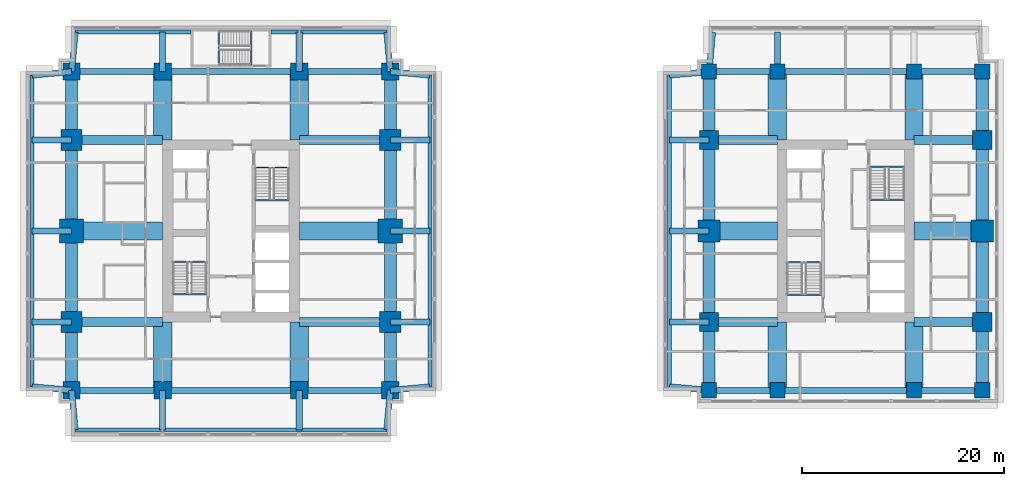
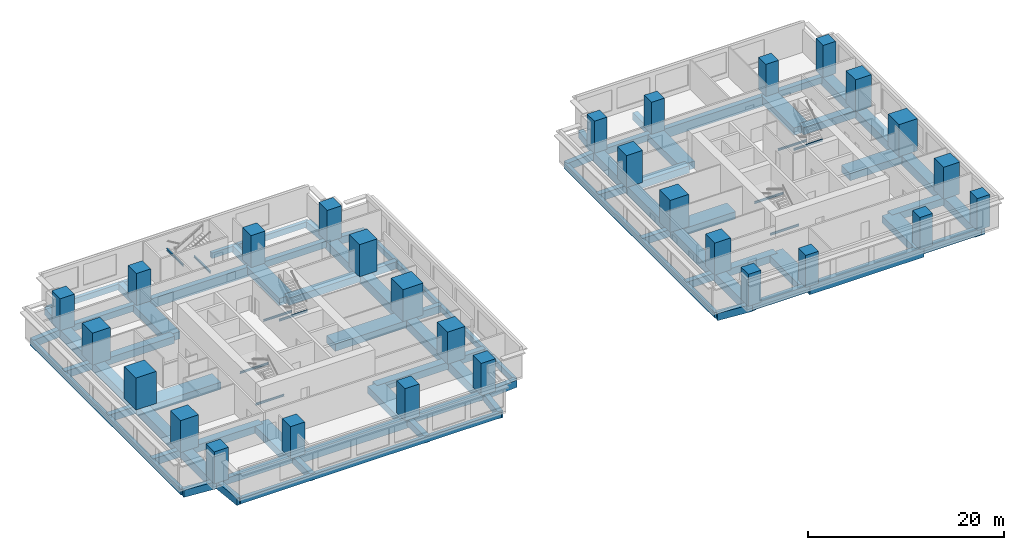
# One storey, part 1 of 10: 89 beams, 28 columns.
"""IFC4 building model written with IfcOpenShell, lengths in metres."""

from ifc_helpers import new_model, si_unit, direction, frame, origin, origin_2d, place, context, subcontext, project, spatial, rectangle, i_section, extrude, material, material_profile, profile_set, type_object, element, save


model = new_model("IFC4")

# Units and contexts
model_context = context("Model", 3, precision=1e-05, world=origin(), true_north=direction((0.0, 1.0)))
body_context = subcontext(model_context, "Body", "Model", "MODEL_VIEW")
ifc_project = project(units=[si_unit("LENGTHUNIT", "METRE"), si_unit("AREAUNIT", "SQUARE_METRE"), si_unit("VOLUMEUNIT", "CUBIC_METRE"), si_unit("PLANEANGLEUNIT", "RADIAN"), si_unit("MASSUNIT", "GRAM", prefix="KILO")], contexts=[model_context])

# Site, building, storey
site_placement = place(None, origin())
site = spatial("IfcSite", under=ifc_project, at=site_placement, CompositionType="ELEMENT")
building_placement = place(site_placement, origin())
building = spatial("IfcBuilding", under=site, at=building_placement, Name="Namib Vertical Campus", CompositionType="ELEMENT")
storey_placement = place(building_placement, frame((0.0, 0.0, 153.0)))
storey = spatial("IfcBuildingStorey", under=building, at=storey_placement, Name="L36", CompositionType="ELEMENT", Elevation=153.0)

# Columns
ifc_material_1 = material(Name="Concrete C60/75", Category="concrete")
ifc_material_profile_1 = material_profile(ifc_material_1, rectangle(XDim=1.5, YDim=1.5, at=origin_2d()))
ifc_profile_set_1 = profile_set([ifc_material_profile_1], Name="Concrete C60/75")
column_type_1 = type_object("IfcColumnType", Name="Column RC 1500x1500", PredefinedType="COLUMN", material=ifc_profile_set_1)
for number, where, z_axis, x_axis, name in (
    (1, (67.5, 4.5, 0.0), (0.0, 0.0, 1.0), (1.0, 0.0, 0.0), "Column C150 L36"),
    (2, (74.25, 4.5, 0.0), (0.0, 0.0, 1.0), (1.0, 0.0, 0.0), "Column C150 L36"),
    (3, (87.75, 4.5, 0.0), (0.0, 0.0, 1.0), (1.0, 0.0, 0.0), "Column C150 L36"),
    (4, (94.5, 4.5, 0.0), (0.0, 0.0, 1.0), (1.0, 0.0, 0.0), "Column C150 L36"),
    (5, (67.5, 36.0, 0.0), (0.0, 0.0, 1.0), (1.0, 0.0, 0.0), "Column C150 L36"),
    (6, (74.25, 36.0, 0.0), (0.0, 0.0, 1.0), (1.0, 0.0, 0.0), "Column C150 L36"),
    (7, (87.75, 36.0, 0.0), (0.0, 0.0, 1.0), (1.0, 0.0, 0.0), "Column C150 L36"),
    (8, (94.5, 36.0, 0.0), (0.0, 0.0, 1.0), (1.0, 0.0, 0.0), "Column C150 L36"),
):
    element("IfcColumn", number, at=place(storey_placement, frame(where, z_axis=z_axis, x_axis=x_axis)), inside=storey, type_object=column_type_1, Name=name, PredefinedType="COLUMN", context=body_context, shape_type="SweptSolid", body=[
        extrude(rectangle(XDim=1.5, YDim=1.5, at=origin_2d()), origin(), (0.0, 0.0, 1.0), 4.0),
    ])
ifc_material_2 = material(Name="Concrete C60/75", Category="concrete")
ifc_material_profile_2 = material_profile(ifc_material_2, rectangle(XDim=1.699951171875, YDim=1.699951171875, at=origin_2d()))
ifc_profile_set_2 = profile_set([ifc_material_profile_2], Name="Concrete C60/75")
column_type_2 = type_object("IfcColumnType", Name="Column RC 1700x1700", PredefinedType="COLUMN", material=ifc_profile_set_2)
for number, where, z_axis, x_axis, name in (
    (9, (4.5, 4.5, 0.0), (0.0, 0.0, 1.0), (1.0, 0.0, 0.0), "Column C170 L36"),
    (10, (13.5, 4.5, 0.0), (0.0, 0.0, 1.0), (1.0, 0.0, 0.0), "Column C170 L36"),
    (11, (27.0, 4.5, 0.0), (0.0, 0.0, 1.0), (1.0, 0.0, 0.0), "Column C170 L36"),
    (12, (36.0, 4.5, 0.0), (0.0, 0.0, 1.0), (1.0, 0.0, 0.0), "Column C170 L36"),
    (13, (4.5, 36.0, 0.0), (0.0, 0.0, 1.0), (1.0, 0.0, 0.0), "Column C170 L36"),
    (14, (13.5, 36.0, 0.0), (0.0, 0.0, 1.0), (1.0, 0.0, 0.0), "Column C170 L36"),
    (15, (27.0, 36.0, 0.0), (0.0, 0.0, 1.0), (1.0, 0.0, 0.0), "Column C170 L36"),
    (16, (36.0, 36.0, 0.0), (0.0, 0.0, 1.0), (1.0, 0.0, 0.0), "Column C170 L36"),
):
    element("IfcColumn", number, at=place(storey_placement, frame(where, z_axis=z_axis, x_axis=x_axis)), inside=storey, type_object=column_type_2, Name=name, PredefinedType="COLUMN", context=body_context, shape_type="SweptSolid", body=[
        extrude(rectangle(XDim=1.699951171875, YDim=1.699951171875, at=origin_2d()), origin(), (0.0, 0.0, 1.0), 4.0),
    ])
ifc_material_3 = material(Name="Concrete C60/75", Category="concrete")
ifc_material_profile_3 = material_profile(ifc_material_3, rectangle(XDim=1.89990234375, YDim=1.89990234375, at=origin_2d()))
ifc_profile_set_3 = profile_set([ifc_material_profile_3], Name="Concrete C60/75")
column_type_3 = type_object("IfcColumnType", Name="Column RC 1900x1900", PredefinedType="COLUMN", material=ifc_profile_set_3)
for number, where, z_axis, x_axis, name in (
    (17, (67.5, 11.25, 0.0), (0.0, 0.0, 1.0), (1.0, 0.0, 0.0), "Column C190 L36"),
    (18, (94.5, 11.25, 0.0), (0.0, 0.0, 1.0), (1.0, 0.0, 0.0), "Column C190 L36"),
    (19, (67.5, 29.25, 0.0), (0.0, 0.0, 1.0), (1.0, 0.0, 0.0), "Column C190 L36"),
    (20, (94.5, 29.25, 0.0), (0.0, 0.0, 1.0), (1.0, 0.0, 0.0), "Column C190 L36"),
):
    element("IfcColumn", number, at=place(storey_placement, frame(where, z_axis=z_axis, x_axis=x_axis)), inside=storey, type_object=column_type_3, Name=name, PredefinedType="COLUMN", context=body_context, shape_type="SweptSolid", body=[
        extrude(rectangle(XDim=1.89990234375, YDim=1.89990234375, at=origin_2d()), origin(), (0.0, 0.0, 1.0), 4.0),
    ])
ifc_material_4 = material(Name="Concrete C60/75", Category="concrete")
ifc_material_profile_4 = material_profile(ifc_material_4, rectangle(XDim=2.10009765625, YDim=2.10009765625, at=origin_2d()))
ifc_profile_set_4 = profile_set([ifc_material_profile_4], Name="Concrete C60/75")
column_type_4 = type_object("IfcColumnType", Name="Column RC 2100x2100", PredefinedType="COLUMN", material=ifc_profile_set_4)
for number, where, z_axis, x_axis, name in (
    (21, (4.5, 11.25, 0.0), (0.0, 0.0, 1.0), (1.0, 0.0, 0.0), "Column C210 L36"),
    (22, (36.0, 11.25, 0.0), (0.0, 0.0, 1.0), (1.0, 0.0, 0.0), "Column C210 L36"),
    (23, (4.5, 29.25, 0.0), (0.0, 0.0, 1.0), (1.0, 0.0, 0.0), "Column C210 L36"),
    (24, (36.0, 29.25, 0.0), (0.0, 0.0, 1.0), (1.0, 0.0, 0.0), "Column C210 L36"),
):
    element("IfcColumn", number, at=place(storey_placement, frame(where, z_axis=z_axis, x_axis=x_axis)), inside=storey, type_object=column_type_4, Name=name, PredefinedType="COLUMN", context=body_context, shape_type="SweptSolid", body=[
        extrude(rectangle(XDim=2.10009765625, YDim=2.10009765625, at=origin_2d()), origin(), (0.0, 0.0, 1.0), 4.0),
    ])
ifc_material_5 = material(Name="Concrete C60/75", Category="concrete")
ifc_material_profile_5 = material_profile(ifc_material_5, rectangle(XDim=2.199951171875, YDim=2.199951171875, at=origin_2d()))
ifc_profile_set_5 = profile_set([ifc_material_profile_5], Name="Concrete C60/75")
column_type_5 = type_object("IfcColumnType", Name="Column RC 2200x2200", PredefinedType="COLUMN", material=ifc_profile_set_5)
for number, where, z_axis, x_axis, name in (
    (25, (67.5, 20.25, 0.0), (0.0, 0.0, 1.0), (1.0, 0.0, 0.0), "Column C220 L36"),
    (26, (94.5, 20.25, 0.0), (0.0, 0.0, 1.0), (1.0, 0.0, 0.0), "Column C220 L36"),
):
    element("IfcColumn", number, at=place(storey_placement, frame(where, z_axis=z_axis, x_axis=x_axis)), inside=storey, type_object=column_type_5, Name=name, PredefinedType="COLUMN", context=body_context, shape_type="SweptSolid", body=[
        extrude(rectangle(XDim=2.199951171875, YDim=2.199951171875, at=origin_2d()), origin(), (0.0, 0.0, 1.0), 4.0),
    ])
ifc_material_6 = material(Name="Concrete C60/75", Category="concrete")
ifc_material_profile_6 = material_profile(ifc_material_6, rectangle(XDim=2.39990234375, YDim=2.39990234375, at=origin_2d()))
ifc_profile_set_6 = profile_set([ifc_material_profile_6], Name="Concrete C60/75")
column_type_6 = type_object("IfcColumnType", Name="Column RC 2400x2400", PredefinedType="COLUMN", material=ifc_profile_set_6)
for number, where, z_axis, x_axis, name in (
    (27, (4.5, 20.25, 0.0), (0.0, 0.0, 1.0), (1.0, 0.0, 0.0), "Column C240 L36"),
    (28, (36.0, 20.25, 0.0), (0.0, 0.0, 1.0), (1.0, 0.0, 0.0), "Column C240 L36"),
):
    element("IfcColumn", number, at=place(storey_placement, frame(where, z_axis=z_axis, x_axis=x_axis)), inside=storey, type_object=column_type_6, Name=name, PredefinedType="COLUMN", context=body_context, shape_type="SweptSolid", body=[
        extrude(rectangle(XDim=2.39990234375, YDim=2.39990234375, at=origin_2d()), origin(), (0.0, 0.0, 1.0), 4.0),
    ])

# Beams
ifc_material_7 = material(Name="Concrete C40/50", Category="concrete")
ifc_material_profile_7 = material_profile(ifc_material_7, rectangle(XDim=0.60009765625, YDim=0.89990234375, at=origin_2d()))
ifc_profile_set_7 = profile_set([ifc_material_profile_7], Name="Concrete C40/50")
beam_type_1 = type_object("IfcBeamType", Name="Cantilever girder RC 600x900", PredefinedType="BEAM", material=ifc_profile_set_7)
beam_1_placement = place(storey_placement, frame((4.5, 4.5, -0.699951171875), z_axis=(0.089411326146, -0.995994786511, 0.0), x_axis=(0.995994786511, 0.089411326146, 0.0)))
element("IfcBeam", 29, at=beam_1_placement, inside=storey, type_object=beam_type_1, Name="Beam B3 L36", PredefinedType="BEAM", context=body_context, shape_type="SweptSolid", body=[
    extrude(rectangle(XDim=0.60009765625, YDim=0.89990234375, at=origin_2d()), origin(), (0.0, 0.0, 1.0), 3.91552734375),
])
for number, where, z_axis, x_axis, name in (
    (30, (13.5, 4.5, -0.699951171875), (0.0, -1.0, 0.0), (1.0, 0.0, 0.0), "Beam B3 L36"),
    (31, (27.0, 4.5, -0.699951171875), (0.0, -1.0, 0.0), (1.0, 0.0, 0.0), "Beam B3 L36"),
):
    element("IfcBeam", number, at=place(storey_placement, frame(where, z_axis=z_axis, x_axis=x_axis)), inside=storey, type_object=beam_type_1, Name=name, PredefinedType="BEAM", context=body_context, shape_type="SweptSolid", body=[
        extrude(rectangle(XDim=0.60009765625, YDim=0.89990234375, at=origin_2d()), origin(), (0.0, 0.0, 1.0), 3.89990234375),
    ])
for number, where, z_axis, x_axis, name in (
    (32, (36.0, 4.5, -0.699951171875), (-0.089411326146, -0.995994786511, 0.0), (0.995994786511, -0.089411326146, 0.0), "Beam B3 L36"),
    (33, (4.5, 36.0, -0.699951171875), (0.089411326146, 0.995994786511, 0.0), (-0.995994786511, 0.089411326146, 0.0), "Beam B3 L36"),
):
    element("IfcBeam", number, at=place(storey_placement, frame(where, z_axis=z_axis, x_axis=x_axis)), inside=storey, type_object=beam_type_1, Name=name, PredefinedType="BEAM", context=body_context, shape_type="SweptSolid", body=[
        extrude(rectangle(XDim=0.60009765625, YDim=0.89990234375, at=origin_2d()), origin(), (0.0, 0.0, 1.0), 3.91552734375),
    ])
for number, where, z_axis, x_axis, name in (
    (34, (13.5, 36.0, -0.699951171875), (0.0, 1.0, 0.0), (-1.0, 0.0, 0.0), "Beam B3 L36"),
    (35, (27.0, 36.0, -0.699951171875), (0.0, 1.0, 0.0), (-1.0, 0.0, 0.0), "Beam B3 L36"),
):
    element("IfcBeam", number, at=place(storey_placement, frame(where, z_axis=z_axis, x_axis=x_axis)), inside=storey, type_object=beam_type_1, Name=name, PredefinedType="BEAM", context=body_context, shape_type="SweptSolid", body=[
        extrude(rectangle(XDim=0.60009765625, YDim=0.89990234375, at=origin_2d()), origin(), (0.0, 0.0, 1.0), 3.89990234375),
    ])
for number, where, z_axis, x_axis, name in (
    (36, (36.0, 36.0, -0.699951171875), (-0.089411326146, 0.995994786511, 0.0), (-0.995994786511, -0.089411326146, 0.0), "Beam B3 L36"),
    (37, (4.5, 4.5, -0.699951171875), (-0.995994786511, 0.089411326146, 0.0), (-0.089411326146, -0.995994786511, 0.0), "Beam B3 L36"),
):
    element("IfcBeam", number, at=place(storey_placement, frame(where, z_axis=z_axis, x_axis=x_axis)), inside=storey, type_object=beam_type_1, Name=name, PredefinedType="BEAM", context=body_context, shape_type="SweptSolid", body=[
        extrude(rectangle(XDim=0.60009765625, YDim=0.89990234375, at=origin_2d()), origin(), (0.0, 0.0, 1.0), 3.91552734375),
    ])
for number, where, z_axis, x_axis, name in (
    (38, (4.5, 11.25, -0.699951171875), (-1.0, 0.0, 0.0), (0.0, -1.0, 0.0), "Beam B3 L36"),
    (39, (4.5, 20.25, -0.699951171875), (-1.0, 0.0, 0.0), (0.0, -1.0, 0.0), "Beam B3 L36"),
    (40, (4.5, 29.25, -0.699951171875), (-1.0, 0.0, 0.0), (0.0, -1.0, 0.0), "Beam B3 L36"),
):
    element("IfcBeam", number, at=place(storey_placement, frame(where, z_axis=z_axis, x_axis=x_axis)), inside=storey, type_object=beam_type_1, Name=name, PredefinedType="BEAM", context=body_context, shape_type="SweptSolid", body=[
        extrude(rectangle(XDim=0.60009765625, YDim=0.89990234375, at=origin_2d()), origin(), (0.0, 0.0, 1.0), 3.89990234375),
    ])
for number, where, z_axis, x_axis, name in (
    (41, (4.5, 36.0, -0.699951171875), (-0.995994786511, -0.089411326146, 0.0), (0.089411326146, -0.995994786511, 0.0), "Beam B3 L36"),
    (42, (36.0, 4.5, -0.699951171875), (0.995994786511, 0.089411326146, 0.0), (-0.089411326146, 0.995994786511, 0.0), "Beam B3 L36"),
):
    element("IfcBeam", number, at=place(storey_placement, frame(where, z_axis=z_axis, x_axis=x_axis)), inside=storey, type_object=beam_type_1, Name=name, PredefinedType="BEAM", context=body_context, shape_type="SweptSolid", body=[
        extrude(rectangle(XDim=0.60009765625, YDim=0.89990234375, at=origin_2d()), origin(), (0.0, 0.0, 1.0), 3.91552734375),
    ])
for number, where, z_axis, x_axis, name in (
    (43, (36.0, 11.25, -0.699951171875), (1.0, 0.0, 0.0), (0.0, 1.0, 0.0), "Beam B3 L36"),
    (44, (36.0, 20.25, -0.699951171875), (1.0, 0.0, 0.0), (0.0, 1.0, 0.0), "Beam B3 L36"),
    (45, (36.0, 29.25, -0.699951171875), (1.0, 0.0, 0.0), (0.0, 1.0, 0.0), "Beam B3 L36"),
):
    element("IfcBeam", number, at=place(storey_placement, frame(where, z_axis=z_axis, x_axis=x_axis)), inside=storey, type_object=beam_type_1, Name=name, PredefinedType="BEAM", context=body_context, shape_type="SweptSolid", body=[
        extrude(rectangle(XDim=0.60009765625, YDim=0.89990234375, at=origin_2d()), origin(), (0.0, 0.0, 1.0), 3.89990234375),
    ])
for number, where, z_axis, x_axis, name in (
    (46, (36.0, 36.0, -0.699951171875), (0.995994786511, -0.089411326146, 0.0), (0.089411326146, 0.995994786511, 0.0), "Beam B3 L36"),
    (47, (67.5, 36.0, -0.699951171875), (0.089411326146, 0.995994786511, 0.0), (-0.995994786511, 0.089411326146, 0.0), "Beam B3 L36"),
):
    element("IfcBeam", number, at=place(storey_placement, frame(where, z_axis=z_axis, x_axis=x_axis)), inside=storey, type_object=beam_type_1, Name=name, PredefinedType="BEAM", context=body_context, shape_type="SweptSolid", body=[
        extrude(rectangle(XDim=0.60009765625, YDim=0.89990234375, at=origin_2d()), origin(), (0.0, 0.0, 1.0), 3.91552734375),
    ])
beam_2_placement = place(storey_placement, frame((74.25, 36.0, -0.699951171875), z_axis=(0.0, 1.0, 0.0), x_axis=(-1.0, 0.0, 0.0)))
element("IfcBeam", 48, at=beam_2_placement, inside=storey, type_object=beam_type_1, Name="Beam B3 L36", PredefinedType="BEAM", context=body_context, shape_type="SweptSolid", body=[
    extrude(rectangle(XDim=0.60009765625, YDim=0.89990234375, at=origin_2d()), origin(), (0.0, 0.0, 1.0), 3.89990234375),
])
beam_3_placement = place(storey_placement, frame((67.5, 4.5, -0.699951171875), z_axis=(-0.995994786511, 0.089411326146, 0.0), x_axis=(-0.089411326146, -0.995994786511, 0.0)))
element("IfcBeam", 49, at=beam_3_placement, inside=storey, type_object=beam_type_1, Name="Beam B3 L36", PredefinedType="BEAM", context=body_context, shape_type="SweptSolid", body=[
    extrude(rectangle(XDim=0.60009765625, YDim=0.89990234375, at=origin_2d()), origin(), (0.0, 0.0, 1.0), 3.91552734375),
])
for number, where, z_axis, x_axis, name in (
    (50, (67.5, 11.25, -0.699951171875), (-1.0, 0.0, 0.0), (0.0, -1.0, 0.0), "Beam B3 L36"),
    (51, (67.5, 20.25, -0.699951171875), (-1.0, 0.0, 0.0), (0.0, -1.0, 0.0), "Beam B3 L36"),
    (52, (67.5, 29.25, -0.699951171875), (-1.0, 0.0, 0.0), (0.0, -1.0, 0.0), "Beam B3 L36"),
):
    element("IfcBeam", number, at=place(storey_placement, frame(where, z_axis=z_axis, x_axis=x_axis)), inside=storey, type_object=beam_type_1, Name=name, PredefinedType="BEAM", context=body_context, shape_type="SweptSolid", body=[
        extrude(rectangle(XDim=0.60009765625, YDim=0.89990234375, at=origin_2d()), origin(), (0.0, 0.0, 1.0), 3.89990234375),
    ])
beam_4_placement = place(storey_placement, frame((67.5, 36.0, -0.699951171875), z_axis=(-0.995994786511, -0.089411326146, 0.0), x_axis=(0.089411326146, -0.995994786511, 0.0)))
element("IfcBeam", 53, at=beam_4_placement, inside=storey, type_object=beam_type_1, Name="Beam B3 L36", PredefinedType="BEAM", context=body_context, shape_type="SweptSolid", body=[
    extrude(rectangle(XDim=0.60009765625, YDim=0.89990234375, at=origin_2d()), origin(), (0.0, 0.0, 1.0), 3.91552734375),
])
ifc_material_8 = material(Name="Concrete C40/50", Category="concrete")
ifc_material_profile_8 = material_profile(ifc_material_8, rectangle(XDim=0.39990234375, YDim=0.699951171875, at=origin_2d()))
ifc_profile_set_8 = profile_set([ifc_material_profile_8], Name="Concrete C40/50")
beam_type_2 = type_object("IfcBeamType", Name="Edge beam RC 400x700", PredefinedType="SPANDREL", material=ifc_profile_set_8)
beam_5_placement = place(storey_placement, frame((4.85009765625, 0.60009765625, -0.60009765625), z_axis=(1.0, 0.0, 0.0), x_axis=(0.0, 1.0, 0.0)))
element("IfcBeam", 54, at=beam_5_placement, inside=storey, type_object=beam_type_2, Name="Beam B4 L36", PredefinedType="SPANDREL", context=body_context, shape_type="SweptSolid", body=[
    extrude(rectangle(XDim=0.39990234375, YDim=0.699951171875, at=origin_2d()), origin(), (0.0, 0.0, 1.0), 30.7998046875),
])
for number, where, z_axis, x_axis, name in (
    (55, (4.85009765625, 39.89990234375, -0.60009765625), (1.0, 0.0, 0.0), (0.0, 1.0, 0.0), "Beam B4 L36"),
    (56, (24.199951171875, 39.89990234375, -0.60009765625), (1.0, 0.0, 0.0), (0.0, 1.0, 0.0), "Beam B4 L36"),
):
    element("IfcBeam", number, at=place(storey_placement, frame(where, z_axis=z_axis, x_axis=x_axis)), inside=storey, type_object=beam_type_2, Name=name, PredefinedType="SPANDREL", context=body_context, shape_type="SweptSolid", body=[
        extrude(rectangle(XDim=0.39990234375, YDim=0.699951171875, at=origin_2d()), origin(), (0.0, 0.0, 1.0), 11.449951171875),
    ])
for number, where, z_axis, x_axis, name in (
    (57, (0.60009765625, 4.85009765625, -0.60009765625), (0.0, 1.0, 0.0), (-1.0, 0.0, 0.0), "Beam B4 L36"),
    (58, (39.89990234375, 4.85009765625, -0.60009765625), (0.0, 1.0, 0.0), (-1.0, 0.0, 0.0), "Beam B4 L36"),
    (59, (63.60009765625, 4.85009765625, -0.60009765625), (0.0, 1.0, 0.0), (-1.0, 0.0, 0.0), "Beam B4 L36"),
):
    element("IfcBeam", number, at=place(storey_placement, frame(where, z_axis=z_axis, x_axis=x_axis)), inside=storey, type_object=beam_type_2, Name=name, PredefinedType="SPANDREL", context=body_context, shape_type="SweptSolid", body=[
        extrude(rectangle(XDim=0.39990234375, YDim=0.699951171875, at=origin_2d()), origin(), (0.0, 0.0, 1.0), 30.7998046875),
    ])
ifc_material_9 = material(Name="Concrete C40/50", Category="concrete")
ifc_material_profile_9 = material_profile(ifc_material_9, rectangle(XDim=0.89990234375, YDim=0.89990234375, at=origin_2d()))
ifc_profile_set_9 = profile_set([ifc_material_profile_9], Name="Concrete C40/50")
beam_type_3 = type_object("IfcBeamType", Name="Face girder RC 900x900", PredefinedType="BEAM", material=ifc_profile_set_9)
for number, where, z_axis, x_axis, name in (
    (60, (4.5, 11.25, -0.699951171875), (1.0, 0.0, 0.0), (0.0, 1.0, 0.0), "Beam B10 L36"),
    (61, (36.0, 11.25, -0.699951171875), (-1.0, 0.0, 0.0), (0.0, -1.0, 0.0), "Beam B10 L36"),
    (62, (4.5, 29.25, -0.699951171875), (1.0, 0.0, 0.0), (0.0, 1.0, 0.0), "Beam B10 L36"),
    (63, (36.0, 29.25, -0.699951171875), (-1.0, 0.0, 0.0), (0.0, -1.0, 0.0), "Beam B10 L36"),
):
    element("IfcBeam", number, at=place(storey_placement, frame(where, z_axis=z_axis, x_axis=x_axis)), inside=storey, type_object=beam_type_3, Name=name, PredefinedType="BEAM", context=body_context, shape_type="SweptSolid", body=[
        extrude(rectangle(XDim=0.89990234375, YDim=0.89990234375, at=origin_2d()), origin(), (0.0, 0.0, 1.0), 9.0),
    ])
for number, where, z_axis, x_axis, name in (
    (64, (67.5, 11.25, -0.699951171875), (1.0, 0.0, 0.0), (0.0, 1.0, 0.0), "Beam B10 L36"),
    (65, (94.5, 11.25, -0.699951171875), (-1.0, 0.0, 0.0), (0.0, -1.0, 0.0), "Beam B10 L36"),
    (66, (67.5, 29.25, -0.699951171875), (1.0, 0.0, 0.0), (0.0, 1.0, 0.0), "Beam B10 L36"),
    (67, (94.5, 29.25, -0.699951171875), (-1.0, 0.0, 0.0), (0.0, -1.0, 0.0), "Beam B10 L36"),
):
    element("IfcBeam", number, at=place(storey_placement, frame(where, z_axis=z_axis, x_axis=x_axis)), inside=storey, type_object=beam_type_3, Name=name, PredefinedType="BEAM", context=body_context, shape_type="SweptSolid", body=[
        extrude(rectangle(XDim=0.89990234375, YDim=0.89990234375, at=origin_2d()), origin(), (0.0, 0.0, 1.0), 6.75),
    ])
ifc_material_10 = material(Name="Concrete C40/50", Category="concrete")
ifc_material_profile_10 = material_profile(ifc_material_10, rectangle(XDim=1.199951171875, YDim=1.10009765625, at=origin_2d()))
ifc_profile_set_10 = profile_set([ifc_material_profile_10], Name="Concrete C40/50")
beam_type_4 = type_object("IfcBeamType", Name="Face ring beam RC 1200x1100", PredefinedType="BEAM", material=ifc_profile_set_10)
beam_6_placement = place(storey_placement, frame((4.5, 4.5, -0.800048828125), z_axis=(0.0, 1.0, 0.0), x_axis=(-1.0, 0.0, 0.0)))
element("IfcBeam", 68, at=beam_6_placement, inside=storey, type_object=beam_type_4, Name="Beam B11 L36", PredefinedType="BEAM", context=body_context, shape_type="SweptSolid", body=[
    extrude(rectangle(XDim=1.199951171875, YDim=1.10009765625, at=origin_2d()), origin(), (0.0, 0.0, 1.0), 6.75),
])
for number, where, z_axis, x_axis, name in (
    (69, (4.5, 11.25, -0.800048828125), (0.0, 1.0, 0.0), (-1.0, 0.0, 0.0), "Beam B11 L36"),
    (70, (4.5, 20.25, -0.800048828125), (0.0, 1.0, 0.0), (-1.0, 0.0, 0.0), "Beam B11 L36"),
):
    element("IfcBeam", number, at=place(storey_placement, frame(where, z_axis=z_axis, x_axis=x_axis)), inside=storey, type_object=beam_type_4, Name=name, PredefinedType="BEAM", context=body_context, shape_type="SweptSolid", body=[
        extrude(rectangle(XDim=1.199951171875, YDim=1.10009765625, at=origin_2d()), origin(), (0.0, 0.0, 1.0), 9.0),
    ])
for number, where, z_axis, x_axis, name in (
    (71, (4.5, 29.25, -0.800048828125), (0.0, 1.0, 0.0), (-1.0, 0.0, 0.0), "Beam B11 L36"),
    (72, (36.0, 4.5, -0.800048828125), (0.0, 1.0, 0.0), (-1.0, 0.0, 0.0), "Beam B11 L36"),
):
    element("IfcBeam", number, at=place(storey_placement, frame(where, z_axis=z_axis, x_axis=x_axis)), inside=storey, type_object=beam_type_4, Name=name, PredefinedType="BEAM", context=body_context, shape_type="SweptSolid", body=[
        extrude(rectangle(XDim=1.199951171875, YDim=1.10009765625, at=origin_2d()), origin(), (0.0, 0.0, 1.0), 6.75),
    ])
for number, where, z_axis, x_axis, name in (
    (73, (36.0, 11.25, -0.800048828125), (0.0, 1.0, 0.0), (-1.0, 0.0, 0.0), "Beam B11 L36"),
    (74, (36.0, 20.25, -0.800048828125), (0.0, 1.0, 0.0), (-1.0, 0.0, 0.0), "Beam B11 L36"),
):
    element("IfcBeam", number, at=place(storey_placement, frame(where, z_axis=z_axis, x_axis=x_axis)), inside=storey, type_object=beam_type_4, Name=name, PredefinedType="BEAM", context=body_context, shape_type="SweptSolid", body=[
        extrude(rectangle(XDim=1.199951171875, YDim=1.10009765625, at=origin_2d()), origin(), (0.0, 0.0, 1.0), 9.0),
    ])
for number, where, z_axis, x_axis, name in (
    (75, (36.0, 29.25, -0.800048828125), (0.0, 1.0, 0.0), (-1.0, 0.0, 0.0), "Beam B11 L36"),
    (76, (67.5, 4.5, -0.800048828125), (0.0, 1.0, 0.0), (-1.0, 0.0, 0.0), "Beam B11 L36"),
):
    element("IfcBeam", number, at=place(storey_placement, frame(where, z_axis=z_axis, x_axis=x_axis)), inside=storey, type_object=beam_type_4, Name=name, PredefinedType="BEAM", context=body_context, shape_type="SweptSolid", body=[
        extrude(rectangle(XDim=1.199951171875, YDim=1.10009765625, at=origin_2d()), origin(), (0.0, 0.0, 1.0), 6.75),
    ])
for number, where, z_axis, x_axis, name in (
    (77, (67.5, 11.25, -0.800048828125), (0.0, 1.0, 0.0), (-1.0, 0.0, 0.0), "Beam B11 L36"),
    (78, (67.5, 20.25, -0.800048828125), (0.0, 1.0, 0.0), (-1.0, 0.0, 0.0), "Beam B11 L36"),
):
    element("IfcBeam", number, at=place(storey_placement, frame(where, z_axis=z_axis, x_axis=x_axis)), inside=storey, type_object=beam_type_4, Name=name, PredefinedType="BEAM", context=body_context, shape_type="SweptSolid", body=[
        extrude(rectangle(XDim=1.199951171875, YDim=1.10009765625, at=origin_2d()), origin(), (0.0, 0.0, 1.0), 9.0),
    ])
for number, where, z_axis, x_axis, name in (
    (79, (67.5, 29.25, -0.800048828125), (0.0, 1.0, 0.0), (-1.0, 0.0, 0.0), "Beam B11 L36"),
    (80, (94.5, 4.5, -0.800048828125), (0.0, 1.0, 0.0), (-1.0, 0.0, 0.0), "Beam B11 L36"),
):
    element("IfcBeam", number, at=place(storey_placement, frame(where, z_axis=z_axis, x_axis=x_axis)), inside=storey, type_object=beam_type_4, Name=name, PredefinedType="BEAM", context=body_context, shape_type="SweptSolid", body=[
        extrude(rectangle(XDim=1.199951171875, YDim=1.10009765625, at=origin_2d()), origin(), (0.0, 0.0, 1.0), 6.75),
    ])
for number, where, z_axis, x_axis, name in (
    (81, (94.5, 11.25, -0.800048828125), (0.0, 1.0, 0.0), (-1.0, 0.0, 0.0), "Beam B11 L36"),
    (82, (94.5, 20.25, -0.800048828125), (0.0, 1.0, 0.0), (-1.0, 0.0, 0.0), "Beam B11 L36"),
):
    element("IfcBeam", number, at=place(storey_placement, frame(where, z_axis=z_axis, x_axis=x_axis)), inside=storey, type_object=beam_type_4, Name=name, PredefinedType="BEAM", context=body_context, shape_type="SweptSolid", body=[
        extrude(rectangle(XDim=1.199951171875, YDim=1.10009765625, at=origin_2d()), origin(), (0.0, 0.0, 1.0), 9.0),
    ])
beam_7_placement = place(storey_placement, frame((94.5, 29.25, -0.800048828125), z_axis=(0.0, 1.0, 0.0), x_axis=(-1.0, 0.0, 0.0)))
element("IfcBeam", 83, at=beam_7_placement, inside=storey, type_object=beam_type_4, Name="Beam B11 L36", PredefinedType="BEAM", context=body_context, shape_type="SweptSolid", body=[
    extrude(rectangle(XDim=1.199951171875, YDim=1.10009765625, at=origin_2d()), origin(), (0.0, 0.0, 1.0), 6.75),
])
ifc_material_11 = material(Name="Steel S355JR", Category="steel")
ifc_material_profile_11 = material_profile(ifc_material_11, i_section(OverallWidth=0.14599609375, OverallDepth=0.25146484375, WebThickness=0.006103515625, FlangeThickness=0.008544921875, FilletRadius=0.007568359375, at=origin_2d()))
ifc_profile_set_11 = profile_set([ifc_material_profile_11], Name="Steel S355JR")
beam_type_5 = type_object("IfcBeamType", Name="Landing trimmer UB 254x146x31", PredefinedType="BEAM", material=ifc_profile_set_11)
for number, where, z_axis, x_axis, name in (
    (84, (14.5, 13.97705078125, -0.125732421875), (1.0, 0.0, 0.0), (0.0, 1.0, 0.0), "Landing trimmer LT1 A-S1 L36 1"),
    (85, (14.5, 17.203125, 1.874267578125), (1.0, 0.0, 0.0), (0.0, 1.0, 0.0), "Landing trimmer LT1 A-S1 L36 2"),
    (86, (22.64990234375, 26.52294921875, -0.125732421875), (1.0, 0.0, 0.0), (0.0, 1.0, 0.0), "Landing trimmer LT1 A-S2 L36 1"),
    (87, (22.64990234375, 23.296875, 1.874267578125), (1.0, 0.0, 0.0), (0.0, 1.0, 0.0), "Landing trimmer LT1 A-S2 L36 2"),
):
    element("IfcBeam", number, at=place(storey_placement, frame(where, z_axis=z_axis, x_axis=x_axis)), inside=storey, type_object=beam_type_5, Name=name, PredefinedType="BEAM", context=body_context, shape_type="SweptSolid", body=[
        extrude(i_section(OverallWidth=0.14599609375, OverallDepth=0.25146484375, WebThickness=0.006103515625, FlangeThickness=0.008544921875, FilletRadius=0.007568359375, at=origin_2d()), origin(), (0.0, 0.0, 1.0), 3.35009765625),
    ])
for number, where, z_axis, x_axis, name in (
    (88, (75.199951171875, 13.927001953125, -0.125732421875), (1.0, 0.0, 0.0), (0.0, 1.0, 0.0), "Landing trimmer LT1 B-S1 L36 1"),
    (89, (75.199951171875, 17.153076171875, 1.874267578125), (1.0, 0.0, 0.0), (0.0, 1.0, 0.0), "Landing trimmer LT1 B-S1 L36 2"),
    (90, (83.39990234375, 26.572998046875, -0.125732421875), (1.0, 0.0, 0.0), (0.0, 1.0, 0.0), "Landing trimmer LT1 B-S2 L36 1"),
    (91, (83.39990234375, 23.346923828125, 1.874267578125), (1.0, 0.0, 0.0), (0.0, 1.0, 0.0), "Landing trimmer LT1 B-S2 L36 2"),
):
    element("IfcBeam", number, at=place(storey_placement, frame(where, z_axis=z_axis, x_axis=x_axis)), inside=storey, type_object=beam_type_5, Name=name, PredefinedType="BEAM", context=body_context, shape_type="SweptSolid", body=[
        extrude(i_section(OverallWidth=0.14599609375, OverallDepth=0.25146484375, WebThickness=0.006103515625, FlangeThickness=0.008544921875, FilletRadius=0.007568359375, at=origin_2d()), origin(), (0.0, 0.0, 1.0), 3.400146484375),
    ])
for number, where, z_axis, x_axis, name in (
    (92, (22.27294921875, 36.64990234375, -0.125732421875), (0.0, 1.0, 0.0), (-1.0, 0.0, 0.0), "Landing trimmer LT1 A-S3 L36 1"),
    (93, (19.046875, 36.64990234375, 1.874267578125), (0.0, 1.0, 0.0), (-1.0, 0.0, 0.0), "Landing trimmer LT1 A-S3 L36 2"),
):
    element("IfcBeam", number, at=place(storey_placement, frame(where, z_axis=z_axis, x_axis=x_axis)), inside=storey, type_object=beam_type_5, Name=name, PredefinedType="BEAM", context=body_context, shape_type="SweptSolid", body=[
        extrude(i_section(OverallWidth=0.14599609375, OverallDepth=0.25146484375, WebThickness=0.006103515625, FlangeThickness=0.008544921875, FilletRadius=0.007568359375, at=origin_2d()), origin(), (0.0, 0.0, 1.0), 3.35009765625),
    ])
ifc_material_12 = material(Name="Concrete C40/50", Category="concrete")
ifc_material_profile_12 = material_profile(ifc_material_12, rectangle(XDim=0.60009765625, YDim=1.199951171875, at=origin_2d()))
ifc_profile_set_12 = profile_set([ifc_material_profile_12], Name="Concrete C40/50")
beam_type_6 = type_object("IfcBeamType", Name="Long-span ring beam RC 600x1200", PredefinedType="BEAM", material=ifc_profile_set_12)
for number, where, z_axis, x_axis, name in (
    (94, (13.5, 4.5, -0.85009765625), (1.0, 0.0, 0.0), (0.0, 1.0, 0.0), "Beam B9 L36"),
    (95, (13.5, 36.0, -0.85009765625), (1.0, 0.0, 0.0), (0.0, 1.0, 0.0), "Beam B9 L36"),
    (96, (74.25, 4.5, -0.85009765625), (1.0, 0.0, 0.0), (0.0, 1.0, 0.0), "Beam B9 L36"),
    (97, (74.25, 36.0, -0.85009765625), (1.0, 0.0, 0.0), (0.0, 1.0, 0.0), "Beam B9 L36"),
):
    element("IfcBeam", number, at=place(storey_placement, frame(where, z_axis=z_axis, x_axis=x_axis)), inside=storey, type_object=beam_type_6, Name=name, PredefinedType="BEAM", context=body_context, shape_type="SweptSolid", body=[
        extrude(rectangle(XDim=0.60009765625, YDim=1.199951171875, at=origin_2d()), origin(), (0.0, 0.0, 1.0), 13.5),
    ])
ifc_material_13 = material(Name="Concrete C40/50", Category="concrete")
ifc_material_profile_13 = material_profile(ifc_material_13, rectangle(XDim=1.800048828125, YDim=0.89990234375, at=origin_2d()))
ifc_profile_set_13 = profile_set([ifc_material_profile_13], Name="Concrete C40/50")
beam_type_7 = type_object("IfcBeamType", Name="Outrigger line girder RC 1800x900", PredefinedType="BEAM", material=ifc_profile_set_13)
for number, where, z_axis, x_axis, name in (
    (98, (13.5, 4.5, -0.699951171875), (0.0, 1.0, 0.0), (-1.0, 0.0, 0.0), "Beam B12 L36"),
    (99, (13.5, 36.0, -0.699951171875), (0.0, -1.0, 0.0), (1.0, 0.0, 0.0), "Beam B12 L36"),
    (100, (27.0, 4.5, -0.699951171875), (0.0, 1.0, 0.0), (-1.0, 0.0, 0.0), "Beam B12 L36"),
    (101, (27.0, 36.0, -0.699951171875), (0.0, -1.0, 0.0), (1.0, 0.0, 0.0), "Beam B12 L36"),
):
    element("IfcBeam", number, at=place(storey_placement, frame(where, z_axis=z_axis, x_axis=x_axis)), inside=storey, type_object=beam_type_7, Name=name, PredefinedType="BEAM", context=body_context, shape_type="SweptSolid", body=[
        extrude(rectangle(XDim=1.800048828125, YDim=0.89990234375, at=origin_2d()), origin(), (0.0, 0.0, 1.0), 6.75),
    ])
for number, where, z_axis, x_axis, name in (
    (102, (4.5, 20.25, -0.699951171875), (1.0, 0.0, 0.0), (0.0, 1.0, 0.0), "Beam B12 L36"),
    (103, (36.0, 20.25, -0.699951171875), (-1.0, 0.0, 0.0), (0.0, -1.0, 0.0), "Beam B12 L36"),
):
    element("IfcBeam", number, at=place(storey_placement, frame(where, z_axis=z_axis, x_axis=x_axis)), inside=storey, type_object=beam_type_7, Name=name, PredefinedType="BEAM", context=body_context, shape_type="SweptSolid", body=[
        extrude(rectangle(XDim=1.800048828125, YDim=0.89990234375, at=origin_2d()), origin(), (0.0, 0.0, 1.0), 9.0),
    ])
for number, where, z_axis, x_axis, name in (
    (104, (74.25, 4.5, -0.699951171875), (0.0, 1.0, 0.0), (-1.0, 0.0, 0.0), "Beam B12 L36"),
    (105, (74.25, 36.0, -0.699951171875), (0.0, -1.0, 0.0), (1.0, 0.0, 0.0), "Beam B12 L36"),
    (106, (87.75, 4.5, -0.699951171875), (0.0, 1.0, 0.0), (-1.0, 0.0, 0.0), "Beam B12 L36"),
    (107, (87.75, 36.0, -0.699951171875), (0.0, -1.0, 0.0), (1.0, 0.0, 0.0), "Beam B12 L36"),
    (108, (67.5, 20.25, -0.699951171875), (1.0, 0.0, 0.0), (0.0, 1.0, 0.0), "Beam B12 L36"),
    (109, (94.5, 20.25, -0.699951171875), (-1.0, 0.0, 0.0), (0.0, -1.0, 0.0), "Beam B12 L36"),
):
    element("IfcBeam", number, at=place(storey_placement, frame(where, z_axis=z_axis, x_axis=x_axis)), inside=storey, type_object=beam_type_7, Name=name, PredefinedType="BEAM", context=body_context, shape_type="SweptSolid", body=[
        extrude(rectangle(XDim=1.800048828125, YDim=0.89990234375, at=origin_2d()), origin(), (0.0, 0.0, 1.0), 6.75),
    ])
ifc_material_14 = material(Name="Concrete C40/50", Category="concrete")
ifc_material_profile_14 = material_profile(ifc_material_14, rectangle(XDim=0.60009765625, YDim=0.800048828125, at=origin_2d()))
ifc_profile_set_14 = profile_set([ifc_material_profile_14], Name="Concrete C40/50")
beam_type_8 = type_object("IfcBeamType", Name="Ring beam RC 600x800", PredefinedType="BEAM", material=ifc_profile_set_14)
for number, where, z_axis, x_axis, name in (
    (110, (4.5, 4.5, -0.64990234375), (1.0, 0.0, 0.0), (0.0, 1.0, 0.0), "Beam B1 L36"),
    (111, (27.0, 4.5, -0.64990234375), (1.0, 0.0, 0.0), (0.0, 1.0, 0.0), "Beam B1 L36"),
    (112, (4.5, 36.0, -0.64990234375), (1.0, 0.0, 0.0), (0.0, 1.0, 0.0), "Beam B1 L36"),
    (113, (27.0, 36.0, -0.64990234375), (1.0, 0.0, 0.0), (0.0, 1.0, 0.0), "Beam B1 L36"),
):
    element("IfcBeam", number, at=place(storey_placement, frame(where, z_axis=z_axis, x_axis=x_axis)), inside=storey, type_object=beam_type_8, Name=name, PredefinedType="BEAM", context=body_context, shape_type="SweptSolid", body=[
        extrude(rectangle(XDim=0.60009765625, YDim=0.800048828125, at=origin_2d()), origin(), (0.0, 0.0, 1.0), 9.0),
    ])
for number, where, z_axis, x_axis, name in (
    (114, (67.5, 4.5, -0.64990234375), (1.0, 0.0, 0.0), (0.0, 1.0, 0.0), "Beam B1 L36"),
    (115, (87.75, 4.5, -0.64990234375), (1.0, 0.0, 0.0), (0.0, 1.0, 0.0), "Beam B1 L36"),
    (116, (67.5, 36.0, -0.64990234375), (1.0, 0.0, 0.0), (0.0, 1.0, 0.0), "Beam B1 L36"),
    (117, (87.75, 36.0, -0.64990234375), (1.0, 0.0, 0.0), (0.0, 1.0, 0.0), "Beam B1 L36"),
):
    element("IfcBeam", number, at=place(storey_placement, frame(where, z_axis=z_axis, x_axis=x_axis)), inside=storey, type_object=beam_type_8, Name=name, PredefinedType="BEAM", context=body_context, shape_type="SweptSolid", body=[
        extrude(rectangle(XDim=0.60009765625, YDim=0.800048828125, at=origin_2d()), origin(), (0.0, 0.0, 1.0), 6.75),
    ])

save(model, "model.ifc")
